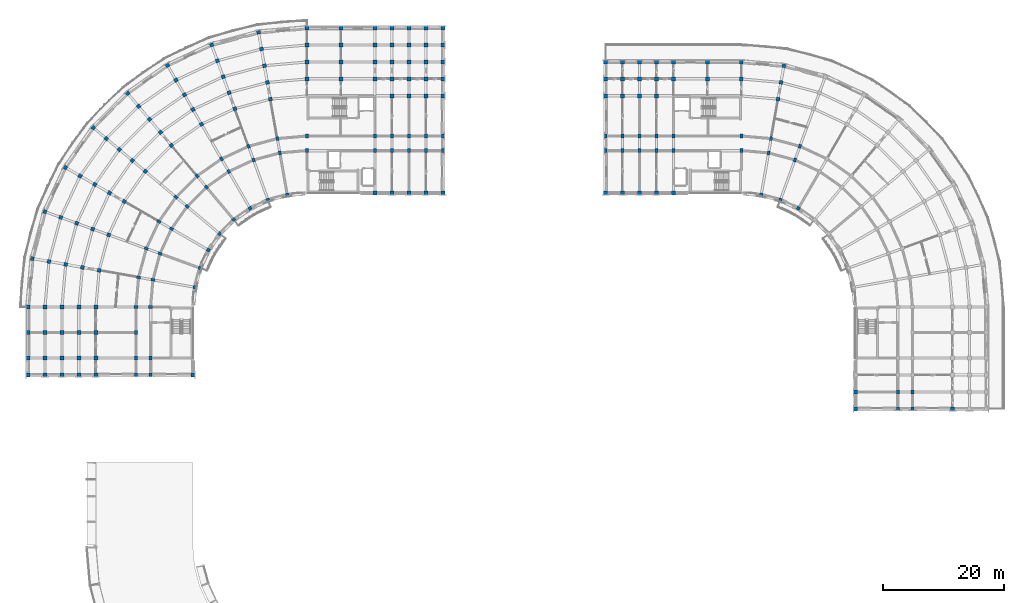
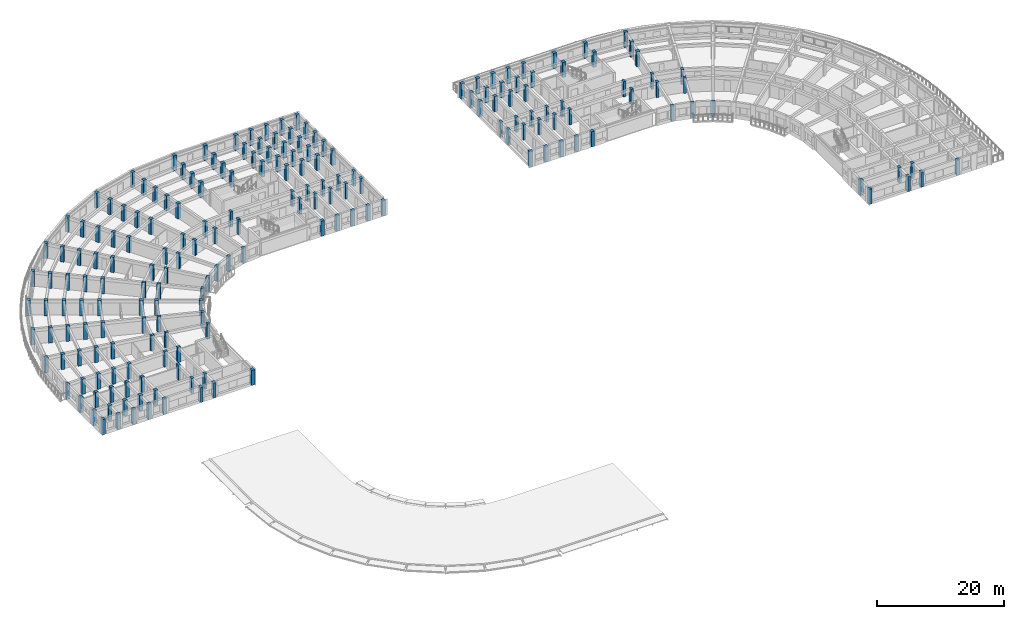
# One storey, part 1 of 41: 193 columns.
"""IFC4 building model written with IfcOpenShell, lengths in metres."""

from ifc_helpers import new_model, si_unit, direction, frame, origin, origin_2d, place, context, subcontext, project, spatial, rectangle, extrude, material, material_profile, profile_set, type_object, element, save


model = new_model("IFC4")

# Units and contexts
model_context = context("Model", 3, precision=1e-05, world=origin(), true_north=direction((0.0, 1.0)))
body_context = subcontext(model_context, "Body", "Model", "MODEL_VIEW")
ifc_project = project(units=[si_unit("LENGTHUNIT", "METRE"), si_unit("AREAUNIT", "SQUARE_METRE"), si_unit("VOLUMEUNIT", "CUBIC_METRE"), si_unit("PLANEANGLEUNIT", "RADIAN"), si_unit("MASSUNIT", "GRAM", prefix="KILO")], contexts=[model_context])

# Site, building, storey
site_placement = place(None, origin())
site = spatial("IfcSite", under=ifc_project, at=site_placement, CompositionType="ELEMENT")
building_placement = place(site_placement, origin())
building = spatial("IfcBuilding", under=site, at=building_placement, Name="Kiranvali Square Residences", CompositionType="ELEMENT")
storey_placement = place(building_placement, frame((0.0, 0.0, 33.89990234375)))
storey = spatial("IfcBuildingStorey", under=building, at=storey_placement, Name="L10", CompositionType="ELEMENT", Elevation=33.89990234375)

# Columns
ifc_material = material(Name="Concrete M40 (40 MPa)", Category="concrete")
ifc_material_profile_1 = material_profile(ifc_material, rectangle(XDim=0.550048828125, YDim=0.550048828125, at=origin_2d()), Name="RC 550x550")
ifc_profile_set_1 = profile_set([ifc_material_profile_1], Name="Concrete M40 (40 MPa)")
column_type_1 = type_object("IfcColumnType", Name="COL-M40-550", PredefinedType="COLUMN", material=ifc_profile_set_1)
for number, where, z_axis, x_axis, name in (
    (1, (44.935302734375, 106.314453125, 0.0), (0.0, 0.0, 1.0), (0.984807753012, 0.173648177667, 0.0), "Block A L10 radial column A01-R0"),
    (2, (41.77001953125, 105.46630859375, 0.0), (0.0, 0.0, 1.0), (0.939692620786, 0.342020143326, 0.0), "Block A L10 radial column A02-R0"),
    (3, (38.800048828125, 104.081298828125, 0.0), (0.0, 0.0, 1.0), (0.866025403784, 0.5, 0.0), "Block A L10 radial column A03-R0"),
    (4, (36.115478515625, 102.20166015625, 0.0), (0.0, 0.0, 1.0), (0.766044443119, 0.642787609687, 0.0), "Block A L10 radial column A04-R0"),
    (5, (33.79833984375, 99.884521484375, 0.0), (0.0, 0.0, 1.0), (0.642787609687, 0.766044443119, 0.0), "Block A L10 radial column A05-R0"),
    (6, (31.918701171875, 97.199951171875, 0.0), (0.0, 0.0, 1.0), (0.5, 0.866025403784, 0.0), "Block A L10 radial column A06-R0"),
    (7, (30.53369140625, 94.22998046875, 0.0), (0.0, 0.0, 1.0), (0.342020143326, 0.939692620786, 0.0), "Block A L10 radial column A07-R0"),
    (8, (29.685546875, 91.064697265625, 0.0), (0.0, 0.0, 1.0), (0.173648177667, 0.984807753012, 0.0), "Block A L10 radial column A08-R0"),
    (9, (123.064697265625, 106.314453125, 0.0), (0.0, 0.0, 1.0), (-0.984807753012, 0.173648177667, 0.0), "Block B L10 radial column A01-R0"),
    (10, (126.22998046875, 105.46630859375, 0.0), (0.0, 0.0, 1.0), (-0.939692620786, 0.342020143326, 0.0), "Block B L10 radial column A02-R0"),
    (11, (129.199951171875, 104.081298828125, 0.0), (0.0, 0.0, 1.0), (-0.866025403784, 0.5, 0.0), "Block B L10 radial column A03-R0"),
):
    element("IfcColumn", number, at=place(storey_placement, frame(where, z_axis=z_axis, x_axis=x_axis)), inside=storey, type_object=column_type_1, Name=name, PredefinedType="COLUMN", context=body_context, shape_type="SweptSolid", body=[
        extrude(rectangle(XDim=0.550048828125, YDim=0.550048828125, at=origin_2d()), origin(), (0.0, 0.0, 1.0), 2.93017578125),
    ])
ifc_material_profile_2 = material_profile(ifc_material, rectangle(XDim=0.60009765625, YDim=0.60009765625, at=origin_2d()), Name="RC 600x600")
ifc_profile_set_2 = profile_set([ifc_material_profile_2], Name="Concrete M40 (40 MPa)")
column_type_2 = type_object("IfcColumnType", Name="COL-M40-600", PredefinedType="COLUMN", material=ifc_profile_set_2)
for number, where, z_axis, x_axis, name in (
    (12, (48.199951171875, 125.39990234375, 0.0), (0.0, 0.0, 1.0), (1.0, 0.0, 0.0), "Block A L10 radial column A00-R4"),
    (13, (48.199951171875, 128.199951171875, 0.0), (0.0, 0.0, 1.0), (1.0, 0.0, 0.0), "Block A L10 radial column A00-R5"),
    (14, (48.199951171875, 131.0, 0.0), (0.0, 0.0, 1.0), (1.0, 0.0, 0.0), "Block A L10 radial column A00-R6"),
    (15, (48.199951171875, 133.800048828125, 0.0), (0.0, 0.0, 1.0), (1.0, 0.0, 0.0), "Block A L10 radial column A00-R7"),
    (16, (42.156982421875, 122.0712890625, 0.0), (0.0, 0.0, 1.0), (0.984807753012, 0.173648177667, 0.0), "Block A L10 radial column A01-R3"),
    (17, (41.6708984375, 124.828857421875, 0.0), (0.0, 0.0, 1.0), (0.984807753012, 0.173648177667, 0.0), "Block A L10 radial column A01-R4"),
    (18, (41.1845703125, 127.586181640625, 0.0), (0.0, 0.0, 1.0), (0.984807753012, 0.173648177667, 0.0), "Block A L10 radial column A01-R5"),
    (19, (40.698486328125, 130.34375, 0.0), (0.0, 0.0, 1.0), (0.984807753012, 0.173648177667, 0.0), "Block A L10 radial column A01-R6"),
    (20, (40.212158203125, 133.10107421875, 0.0), (0.0, 0.0, 1.0), (0.984807753012, 0.173648177667, 0.0), "Block A L10 radial column A01-R7"),
    (21, (36.297607421875, 120.501220703125, 0.0), (0.0, 0.0, 1.0), (0.939692620786, 0.342020143326, 0.0), "Block A L10 radial column A02-R3"),
    (22, (35.340087890625, 123.13232421875, 0.0), (0.0, 0.0, 1.0), (0.939692620786, 0.342020143326, 0.0), "Block A L10 radial column A02-R4"),
    (23, (34.38232421875, 125.763671875, 0.0), (0.0, 0.0, 1.0), (0.939692620786, 0.342020143326, 0.0), "Block A L10 radial column A02-R5"),
    (24, (33.4248046875, 128.394775390625, 0.0), (0.0, 0.0, 1.0), (0.939692620786, 0.342020143326, 0.0), "Block A L10 radial column A02-R6"),
    (25, (32.467041015625, 131.02587890625, 0.0), (0.0, 0.0, 1.0), (0.939692620786, 0.342020143326, 0.0), "Block A L10 radial column A02-R7"),
    (26, (30.800048828125, 117.937744140625, 0.0), (0.0, 0.0, 1.0), (0.866025403784, 0.5, 0.0), "Block A L10 radial column A03-R3"),
    (27, (29.39990234375, 120.362548828125, 0.0), (0.0, 0.0, 1.0), (0.866025403784, 0.5, 0.0), "Block A L10 radial column A03-R4"),
    (28, (28.0, 122.787353515625, 0.0), (0.0, 0.0, 1.0), (0.866025403784, 0.5, 0.0), "Block A L10 radial column A03-R5"),
    (29, (26.60009765625, 125.21240234375, 0.0), (0.0, 0.0, 1.0), (0.866025403784, 0.5, 0.0), "Block A L10 radial column A03-R6"),
    (30, (25.199951171875, 127.63720703125, 0.0), (0.0, 0.0, 1.0), (0.866025403784, 0.5, 0.0), "Block A L10 radial column A03-R7"),
    (31, (25.8310546875, 114.458251953125, 0.0), (0.0, 0.0, 1.0), (0.766044443119, 0.642787609687, 0.0), "Block A L10 radial column A04-R3"),
    (32, (24.03125, 116.603271484375, 0.0), (0.0, 0.0, 1.0), (0.766044443119, 0.642787609687, 0.0), "Block A L10 radial column A04-R4"),
    (33, (22.2314453125, 118.748291015625, 0.0), (0.0, 0.0, 1.0), (0.766044443119, 0.642787609687, 0.0), "Block A L10 radial column A04-R5"),
    (34, (20.431640625, 120.89306640625, 0.0), (0.0, 0.0, 1.0), (0.766044443119, 0.642787609687, 0.0), "Block A L10 radial column A04-R6"),
    (35, (18.6318359375, 123.0380859375, 0.0), (0.0, 0.0, 1.0), (0.766044443119, 0.642787609687, 0.0), "Block A L10 radial column A04-R7"),
    (36, (21.541748046875, 110.1689453125, 0.0), (0.0, 0.0, 1.0), (0.642787609687, 0.766044443119, 0.0), "Block A L10 radial column A05-R3"),
    (37, (19.396728515625, 111.96875, 0.0), (0.0, 0.0, 1.0), (0.642787609687, 0.766044443119, 0.0), "Block A L10 radial column A05-R4"),
    (38, (17.251708984375, 113.7685546875, 0.0), (0.0, 0.0, 1.0), (0.642787609687, 0.766044443119, 0.0), "Block A L10 radial column A05-R5"),
    (39, (15.10693359375, 115.568359375, 0.0), (0.0, 0.0, 1.0), (0.642787609687, 0.766044443119, 0.0), "Block A L10 radial column A05-R6"),
    (40, (12.9619140625, 117.3681640625, 0.0), (0.0, 0.0, 1.0), (0.642787609687, 0.766044443119, 0.0), "Block A L10 radial column A05-R7"),
    (41, (18.062255859375, 105.199951171875, 0.0), (0.0, 0.0, 1.0), (0.5, 0.866025403784, 0.0), "Block A L10 radial column A06-R3"),
    (42, (15.637451171875, 106.60009765625, 0.0), (0.0, 0.0, 1.0), (0.5, 0.866025403784, 0.0), "Block A L10 radial column A06-R4"),
    (43, (13.212646484375, 108.0, 0.0), (0.0, 0.0, 1.0), (0.5, 0.866025403784, 0.0), "Block A L10 radial column A06-R5"),
    (44, (10.78759765625, 109.39990234375, 0.0), (0.0, 0.0, 1.0), (0.5, 0.866025403784, 0.0), "Block A L10 radial column A06-R6"),
    (45, (8.36279296875, 110.800048828125, 0.0), (0.0, 0.0, 1.0), (0.5, 0.866025403784, 0.0), "Block A L10 radial column A06-R7"),
    (46, (15.498779296875, 99.702392578125, 0.0), (0.0, 0.0, 1.0), (0.342020143326, 0.939692620786, 0.0), "Block A L10 radial column A07-R3"),
    (47, (12.86767578125, 100.659912109375, 0.0), (0.0, 0.0, 1.0), (0.342020143326, 0.939692620786, 0.0), "Block A L10 radial column A07-R4"),
    (48, (10.236328125, 101.61767578125, 0.0), (0.0, 0.0, 1.0), (0.342020143326, 0.939692620786, 0.0), "Block A L10 radial column A07-R5"),
    (49, (7.605224609375, 102.5751953125, 0.0), (0.0, 0.0, 1.0), (0.342020143326, 0.939692620786, 0.0), "Block A L10 radial column A07-R6"),
    (50, (4.97412109375, 103.532958984375, 0.0), (0.0, 0.0, 1.0), (0.342020143326, 0.939692620786, 0.0), "Block A L10 radial column A07-R7"),
    (51, (13.9287109375, 93.843017578125, 0.0), (0.0, 0.0, 1.0), (0.173648177667, 0.984807753012, 0.0), "Block A L10 radial column A08-R3"),
    (52, (11.171142578125, 94.3291015625, 0.0), (0.0, 0.0, 1.0), (0.173648177667, 0.984807753012, 0.0), "Block A L10 radial column A08-R4"),
    (53, (8.413818359375, 94.8154296875, 0.0), (0.0, 0.0, 1.0), (0.173648177667, 0.984807753012, 0.0), "Block A L10 radial column A08-R5"),
    (54, (5.65625, 95.301513671875, 0.0), (0.0, 0.0, 1.0), (0.173648177667, 0.984807753012, 0.0), "Block A L10 radial column A08-R6"),
    (55, (2.89892578125, 95.787841796875, 0.0), (0.0, 0.0, 1.0), (0.173648177667, 0.984807753012, 0.0), "Block A L10 radial column A08-R7"),
    (56, (13.39990234375, 87.800048828125, 0.0), (0.0, 0.0, 1.0), (0.0, 1.0, 0.0), "Block A L10 radial column A09-R3"),
    (57, (10.60009765625, 87.800048828125, 0.0), (0.0, 0.0, 1.0), (0.0, 1.0, 0.0), "Block A L10 radial column A09-R4"),
    (58, (7.800048828125, 87.800048828125, 0.0), (0.0, 0.0, 1.0), (0.0, 1.0, 0.0), "Block A L10 radial column A09-R5"),
    (59, (5.0, 87.800048828125, 0.0), (0.0, 0.0, 1.0), (0.0, 1.0, 0.0), "Block A L10 radial column A09-R6"),
    (60, (2.199951171875, 87.800048828125, 0.0), (0.0, 0.0, 1.0), (0.0, 1.0, 0.0), "Block A L10 radial column A09-R7"),
    (61, (53.800048828125, 125.39990234375, 0.0), (0.0, 0.0, 1.0), (1.0, 0.0, 0.0), "Block A L10 core-front column U0-R4"),
    (62, (53.800048828125, 128.199951171875, 0.0), (0.0, 0.0, 1.0), (1.0, 0.0, 0.0), "Block A L10 core-front column U0-R5"),
    (63, (53.800048828125, 131.0, 0.0), (0.0, 0.0, 1.0), (1.0, 0.0, 0.0), "Block A L10 core-front column U0-R6"),
    (64, (53.800048828125, 133.800048828125, 0.0), (0.0, 0.0, 1.0), (1.0, 0.0, 0.0), "Block A L10 core-front column U0-R7"),
    (65, (59.39990234375, 106.60009765625, 0.0), (0.0, 0.0, 1.0), (1.0, 0.0, 0.0), "Block A L10 Arm 1 column U1-R0"),
    (66, (59.39990234375, 125.39990234375, 0.0), (0.0, 0.0, 1.0), (1.0, 0.0, 0.0), "Block A L10 Arm 1 column U1-R4"),
    (67, (59.39990234375, 128.199951171875, 0.0), (0.0, 0.0, 1.0), (1.0, 0.0, 0.0), "Block A L10 Arm 1 column U1-R5"),
    (68, (59.39990234375, 131.0, 0.0), (0.0, 0.0, 1.0), (1.0, 0.0, 0.0), "Block A L10 Arm 1 column U1-R6"),
    (69, (59.39990234375, 133.800048828125, 0.0), (0.0, 0.0, 1.0), (1.0, 0.0, 0.0), "Block A L10 Arm 1 column U1-R7"),
    (70, (62.199951171875, 106.60009765625, 0.0), (0.0, 0.0, 1.0), (1.0, 0.0, 0.0), "Block A L10 Arm 1 column U2-R0"),
    (71, (62.199951171875, 122.60009765625, 0.0), (0.0, 0.0, 1.0), (1.0, 0.0, 0.0), "Block A L10 Arm 1 column U2-R3"),
    (72, (62.199951171875, 125.39990234375, 0.0), (0.0, 0.0, 1.0), (1.0, 0.0, 0.0), "Block A L10 Arm 1 column U2-R4"),
    (73, (62.199951171875, 128.199951171875, 0.0), (0.0, 0.0, 1.0), (1.0, 0.0, 0.0), "Block A L10 Arm 1 column U2-R5"),
    (74, (62.199951171875, 131.0, 0.0), (0.0, 0.0, 1.0), (1.0, 0.0, 0.0), "Block A L10 Arm 1 column U2-R6"),
    (75, (62.199951171875, 133.800048828125, 0.0), (0.0, 0.0, 1.0), (1.0, 0.0, 0.0), "Block A L10 Arm 1 column U2-R7"),
    (76, (65.0, 106.60009765625, 0.0), (0.0, 0.0, 1.0), (1.0, 0.0, 0.0), "Block A L10 Arm 1 column U3-R0"),
    (77, (65.0, 122.60009765625, 0.0), (0.0, 0.0, 1.0), (1.0, 0.0, 0.0), "Block A L10 Arm 1 column U3-R3"),
    (78, (65.0, 125.39990234375, 0.0), (0.0, 0.0, 1.0), (1.0, 0.0, 0.0), "Block A L10 Arm 1 column U3-R4"),
    (79, (65.0, 128.199951171875, 0.0), (0.0, 0.0, 1.0), (1.0, 0.0, 0.0), "Block A L10 Arm 1 column U3-R5"),
    (80, (65.0, 131.0, 0.0), (0.0, 0.0, 1.0), (1.0, 0.0, 0.0), "Block A L10 Arm 1 column U3-R6"),
    (81, (65.0, 133.800048828125, 0.0), (0.0, 0.0, 1.0), (1.0, 0.0, 0.0), "Block A L10 Arm 1 column U3-R7"),
    (82, (67.800048828125, 106.60009765625, 0.0), (0.0, 0.0, 1.0), (1.0, 0.0, 0.0), "Block A L10 Arm 1 column U4-R0"),
    (83, (67.800048828125, 122.60009765625, 0.0), (0.0, 0.0, 1.0), (1.0, 0.0, 0.0), "Block A L10 Arm 1 column U4-R3"),
    (84, (67.800048828125, 125.39990234375, 0.0), (0.0, 0.0, 1.0), (1.0, 0.0, 0.0), "Block A L10 Arm 1 column U4-R4"),
    (85, (67.800048828125, 128.199951171875, 0.0), (0.0, 0.0, 1.0), (1.0, 0.0, 0.0), "Block A L10 Arm 1 column U4-R5"),
    (86, (67.800048828125, 131.0, 0.0), (0.0, 0.0, 1.0), (1.0, 0.0, 0.0), "Block A L10 Arm 1 column U4-R6"),
    (87, (67.800048828125, 133.800048828125, 0.0), (0.0, 0.0, 1.0), (1.0, 0.0, 0.0), "Block A L10 Arm 1 column U4-R7"),
    (88, (70.60009765625, 106.60009765625, 0.0), (0.0, 0.0, 1.0), (1.0, 0.0, 0.0), "Block A L10 Arm 1 column U5-R0"),
    (89, (70.60009765625, 122.60009765625, 0.0), (0.0, 0.0, 1.0), (1.0, 0.0, 0.0), "Block A L10 Arm 1 column U5-R3"),
    (90, (70.60009765625, 125.39990234375, 0.0), (0.0, 0.0, 1.0), (1.0, 0.0, 0.0), "Block A L10 Arm 1 column U5-R4"),
    (91, (70.60009765625, 128.199951171875, 0.0), (0.0, 0.0, 1.0), (1.0, 0.0, 0.0), "Block A L10 Arm 1 column U5-R5"),
    (92, (70.60009765625, 131.0, 0.0), (0.0, 0.0, 1.0), (1.0, 0.0, 0.0), "Block A L10 Arm 1 column U5-R6"),
    (93, (70.60009765625, 133.800048828125, 0.0), (0.0, 0.0, 1.0), (1.0, 0.0, 0.0), "Block A L10 Arm 1 column U5-R7"),
    (94, (13.39990234375, 83.60009765625, 0.0), (0.0, 0.0, 1.0), (1.0, 0.0, 0.0), "Block A L10 Arm 2 mid-core column V0-R3"),
    (95, (10.60009765625, 83.60009765625, 0.0), (0.0, 0.0, 1.0), (1.0, 0.0, 0.0), "Block A L10 Arm 2 mid-core column V0-R4"),
    (96, (7.800048828125, 83.60009765625, 0.0), (0.0, 0.0, 1.0), (1.0, 0.0, 0.0), "Block A L10 Arm 2 mid-core column V0-R5"),
    (97, (5.0, 83.60009765625, 0.0), (0.0, 0.0, 1.0), (1.0, 0.0, 0.0), "Block A L10 Arm 2 mid-core column V0-R6"),
    (98, (2.199951171875, 83.60009765625, 0.0), (0.0, 0.0, 1.0), (1.0, 0.0, 0.0), "Block A L10 Arm 2 mid-core column V0-R7"),
    (99, (13.39990234375, 79.39990234375, 0.0), (0.0, 0.0, 1.0), (1.0, 0.0, 0.0), "Block A L10 Arm 2 column V1-R3"),
    (100, (10.60009765625, 79.39990234375, 0.0), (0.0, 0.0, 1.0), (1.0, 0.0, 0.0), "Block A L10 Arm 2 column V1-R4"),
    (101, (7.800048828125, 79.39990234375, 0.0), (0.0, 0.0, 1.0), (1.0, 0.0, 0.0), "Block A L10 Arm 2 column V1-R5"),
    (102, (5.0, 79.39990234375, 0.0), (0.0, 0.0, 1.0), (1.0, 0.0, 0.0), "Block A L10 Arm 2 column V1-R6"),
    (103, (2.199951171875, 79.39990234375, 0.0), (0.0, 0.0, 1.0), (1.0, 0.0, 0.0), "Block A L10 Arm 2 column V1-R7"),
    (104, (29.39990234375, 76.60009765625, 0.0), (0.0, 0.0, 1.0), (1.0, 0.0, 0.0), "Block A L10 Arm 2 column V2-R0"),
    (105, (13.39990234375, 76.60009765625, 0.0), (0.0, 0.0, 1.0), (1.0, 0.0, 0.0), "Block A L10 Arm 2 column V2-R3"),
    (106, (10.60009765625, 76.60009765625, 0.0), (0.0, 0.0, 1.0), (1.0, 0.0, 0.0), "Block A L10 Arm 2 column V2-R4"),
    (107, (7.800048828125, 76.60009765625, 0.0), (0.0, 0.0, 1.0), (1.0, 0.0, 0.0), "Block A L10 Arm 2 column V2-R5"),
    (108, (5.0, 76.60009765625, 0.0), (0.0, 0.0, 1.0), (1.0, 0.0, 0.0), "Block A L10 Arm 2 column V2-R6"),
    (109, (2.199951171875, 76.60009765625, 0.0), (0.0, 0.0, 1.0), (1.0, 0.0, 0.0), "Block A L10 Arm 2 column V2-R7"),
    (110, (119.800048828125, 125.39990234375, 0.0), (0.0, 0.0, 1.0), (1.0, 0.0, 0.0), "Block B L10 radial column A00-R4"),
):
    element("IfcColumn", number, at=place(storey_placement, frame(where, z_axis=z_axis, x_axis=x_axis)), inside=storey, type_object=column_type_2, Name=name, PredefinedType="COLUMN", context=body_context, shape_type="SweptSolid", body=[
        extrude(rectangle(XDim=0.60009765625, YDim=0.60009765625, at=origin_2d()), origin(), (0.0, 0.0, 1.0), 2.93017578125),
    ])
column_1_placement = place(storey_placement, frame((119.800048828125, 128.199951171875, 0.0), z_axis=(0.0, 0.0, 1.0), x_axis=(1.0, 0.0, 0.0)))
element("IfcColumn", 111, at=column_1_placement, inside=storey, type_object=column_type_2, Name="Block B L10 radial column A00-R5", PredefinedType="COLUMN", context=body_context, shape_type="SweptSolid", body=[
    extrude(rectangle(XDim=0.60009765625, YDim=0.60009765625, at=origin_2d()), origin(), (0.0, 0.0, 1.0), 2.97021484375),
])
for number, where, z_axis, x_axis, name in (
    (112, (125.843017578125, 122.0712890625, 0.0), (0.0, 0.0, 1.0), (-0.984807753012, 0.173648177667, 0.0), "Block B L10 radial column A01-R3"),
    (113, (126.3291015625, 124.828857421875, 0.0), (0.0, 0.0, 1.0), (-0.984807753012, 0.173648177667, 0.0), "Block B L10 radial column A01-R4"),
):
    element("IfcColumn", number, at=place(storey_placement, frame(where, z_axis=z_axis, x_axis=x_axis)), inside=storey, type_object=column_type_2, Name=name, PredefinedType="COLUMN", context=body_context, shape_type="SweptSolid", body=[
        extrude(rectangle(XDim=0.60009765625, YDim=0.60009765625, at=origin_2d()), origin(), (0.0, 0.0, 1.0), 2.93017578125),
    ])
column_2_placement = place(storey_placement, frame((126.8154296875, 127.586181640625, 0.0), z_axis=(0.0, 0.0, 1.0), x_axis=(-0.984807753012, 0.173648177667, 0.0)))
element("IfcColumn", 114, at=column_2_placement, inside=storey, type_object=column_type_2, Name="Block B L10 radial column A01-R5", PredefinedType="COLUMN", context=body_context, shape_type="SweptSolid", body=[
    extrude(rectangle(XDim=0.60009765625, YDim=0.60009765625, at=origin_2d()), origin(), (0.0, 0.0, 1.0), 2.97021484375),
])
column_3_placement = place(storey_placement, frame((114.199951171875, 125.39990234375, 0.0), z_axis=(0.0, 0.0, 1.0), x_axis=(1.0, 0.0, 0.0)))
element("IfcColumn", 115, at=column_3_placement, inside=storey, type_object=column_type_2, Name="Block B L10 core-front column U0-R4", PredefinedType="COLUMN", context=body_context, shape_type="SweptSolid", body=[
    extrude(rectangle(XDim=0.60009765625, YDim=0.60009765625, at=origin_2d()), origin(), (0.0, 0.0, 1.0), 2.93017578125),
])
column_4_placement = place(storey_placement, frame((114.199951171875, 128.199951171875, 0.0), z_axis=(0.0, 0.0, 1.0), x_axis=(1.0, 0.0, 0.0)))
element("IfcColumn", 116, at=column_4_placement, inside=storey, type_object=column_type_2, Name="Block B L10 core-front column U0-R5", PredefinedType="COLUMN", context=body_context, shape_type="SweptSolid", body=[
    extrude(rectangle(XDim=0.60009765625, YDim=0.60009765625, at=origin_2d()), origin(), (0.0, 0.0, 1.0), 2.97021484375),
])
for number, where, z_axis, x_axis, name in (
    (117, (108.60009765625, 106.60009765625, 0.0), (0.0, 0.0, 1.0), (1.0, 0.0, 0.0), "Block B L10 Arm 1 column U1-R0"),
    (118, (108.60009765625, 125.39990234375, 0.0), (0.0, 0.0, 1.0), (1.0, 0.0, 0.0), "Block B L10 Arm 1 column U1-R4"),
):
    element("IfcColumn", number, at=place(storey_placement, frame(where, z_axis=z_axis, x_axis=x_axis)), inside=storey, type_object=column_type_2, Name=name, PredefinedType="COLUMN", context=body_context, shape_type="SweptSolid", body=[
        extrude(rectangle(XDim=0.60009765625, YDim=0.60009765625, at=origin_2d()), origin(), (0.0, 0.0, 1.0), 2.93017578125),
    ])
column_5_placement = place(storey_placement, frame((108.60009765625, 128.199951171875, 0.0), z_axis=(0.0, 0.0, 1.0), x_axis=(1.0, 0.0, 0.0)))
element("IfcColumn", 119, at=column_5_placement, inside=storey, type_object=column_type_2, Name="Block B L10 Arm 1 column U1-R5", PredefinedType="COLUMN", context=body_context, shape_type="SweptSolid", body=[
    extrude(rectangle(XDim=0.60009765625, YDim=0.60009765625, at=origin_2d()), origin(), (0.0, 0.0, 1.0), 2.97021484375),
])
for number, where, z_axis, x_axis, name in (
    (120, (105.800048828125, 106.60009765625, 0.0), (0.0, 0.0, 1.0), (1.0, 0.0, 0.0), "Block B L10 Arm 1 column U2-R0"),
    (121, (105.800048828125, 122.60009765625, 0.0), (0.0, 0.0, 1.0), (1.0, 0.0, 0.0), "Block B L10 Arm 1 column U2-R3"),
    (122, (105.800048828125, 125.39990234375, 0.0), (0.0, 0.0, 1.0), (1.0, 0.0, 0.0), "Block B L10 Arm 1 column U2-R4"),
):
    element("IfcColumn", number, at=place(storey_placement, frame(where, z_axis=z_axis, x_axis=x_axis)), inside=storey, type_object=column_type_2, Name=name, PredefinedType="COLUMN", context=body_context, shape_type="SweptSolid", body=[
        extrude(rectangle(XDim=0.60009765625, YDim=0.60009765625, at=origin_2d()), origin(), (0.0, 0.0, 1.0), 2.93017578125),
    ])
column_6_placement = place(storey_placement, frame((105.800048828125, 128.199951171875, 0.0), z_axis=(0.0, 0.0, 1.0), x_axis=(1.0, 0.0, 0.0)))
element("IfcColumn", 123, at=column_6_placement, inside=storey, type_object=column_type_2, Name="Block B L10 Arm 1 column U2-R5", PredefinedType="COLUMN", context=body_context, shape_type="SweptSolid", body=[
    extrude(rectangle(XDim=0.60009765625, YDim=0.60009765625, at=origin_2d()), origin(), (0.0, 0.0, 1.0), 2.97021484375),
])
for number, where, z_axis, x_axis, name in (
    (124, (103.0, 106.60009765625, 0.0), (0.0, 0.0, 1.0), (1.0, 0.0, 0.0), "Block B L10 Arm 1 column U3-R0"),
    (125, (103.0, 122.60009765625, 0.0), (0.0, 0.0, 1.0), (1.0, 0.0, 0.0), "Block B L10 Arm 1 column U3-R3"),
    (126, (103.0, 125.39990234375, 0.0), (0.0, 0.0, 1.0), (1.0, 0.0, 0.0), "Block B L10 Arm 1 column U3-R4"),
):
    element("IfcColumn", number, at=place(storey_placement, frame(where, z_axis=z_axis, x_axis=x_axis)), inside=storey, type_object=column_type_2, Name=name, PredefinedType="COLUMN", context=body_context, shape_type="SweptSolid", body=[
        extrude(rectangle(XDim=0.60009765625, YDim=0.60009765625, at=origin_2d()), origin(), (0.0, 0.0, 1.0), 2.93017578125),
    ])
column_7_placement = place(storey_placement, frame((103.0, 128.199951171875, 0.0), z_axis=(0.0, 0.0, 1.0), x_axis=(1.0, 0.0, 0.0)))
element("IfcColumn", 127, at=column_7_placement, inside=storey, type_object=column_type_2, Name="Block B L10 Arm 1 column U3-R5", PredefinedType="COLUMN", context=body_context, shape_type="SweptSolid", body=[
    extrude(rectangle(XDim=0.60009765625, YDim=0.60009765625, at=origin_2d()), origin(), (0.0, 0.0, 1.0), 2.97021484375),
])
for number, where, z_axis, x_axis, name in (
    (128, (100.199951171875, 106.60009765625, 0.0), (0.0, 0.0, 1.0), (1.0, 0.0, 0.0), "Block B L10 Arm 1 column U4-R0"),
    (129, (100.199951171875, 122.60009765625, 0.0), (0.0, 0.0, 1.0), (1.0, 0.0, 0.0), "Block B L10 Arm 1 column U4-R3"),
    (130, (100.199951171875, 125.39990234375, 0.0), (0.0, 0.0, 1.0), (1.0, 0.0, 0.0), "Block B L10 Arm 1 column U4-R4"),
):
    element("IfcColumn", number, at=place(storey_placement, frame(where, z_axis=z_axis, x_axis=x_axis)), inside=storey, type_object=column_type_2, Name=name, PredefinedType="COLUMN", context=body_context, shape_type="SweptSolid", body=[
        extrude(rectangle(XDim=0.60009765625, YDim=0.60009765625, at=origin_2d()), origin(), (0.0, 0.0, 1.0), 2.93017578125),
    ])
for number, where, z_axis, x_axis, name in (
    (131, (100.199951171875, 128.199951171875, 0.0), (0.0, 0.0, 1.0), (1.0, 0.0, 0.0), "Block B L10 Arm 1 column U4-R5"),
    (132, (97.39990234375, 106.60009765625, 0.0), (0.0, 0.0, 1.0), (1.0, 0.0, 0.0), "Block B L10 Arm 1 column U5-R0"),
    (133, (97.39990234375, 122.60009765625, 0.0), (0.0, 0.0, 1.0), (1.0, 0.0, 0.0), "Block B L10 Arm 1 column U5-R3"),
    (134, (97.39990234375, 125.39990234375, 0.0), (0.0, 0.0, 1.0), (1.0, 0.0, 0.0), "Block B L10 Arm 1 column U5-R4"),
    (135, (97.39990234375, 128.199951171875, 0.0), (0.0, 0.0, 1.0), (1.0, 0.0, 0.0), "Block B L10 Arm 1 column U5-R5"),
):
    element("IfcColumn", number, at=place(storey_placement, frame(where, z_axis=z_axis, x_axis=x_axis)), inside=storey, type_object=column_type_2, Name=name, PredefinedType="COLUMN", context=body_context, shape_type="SweptSolid", body=[
        extrude(rectangle(XDim=0.60009765625, YDim=0.60009765625, at=origin_2d()), origin(), (0.0, 0.0, 1.0), 2.97021484375),
    ])
for number, where, z_axis, x_axis, name in (
    (136, (138.60009765625, 73.800048828125, 0.0), (0.0, 0.0, 1.0), (1.0, 0.0, 0.0), "Block B L10 Arm 2 column V3-R0"),
    (137, (138.60009765625, 71.0, 0.0), (0.0, 0.0, 1.0), (1.0, 0.0, 0.0), "Block B L10 Arm 2 column V4-R0"),
    (138, (154.60009765625, 71.0, 0.0), (0.0, 0.0, 1.0), (1.0, 0.0, 0.0), "Block B L10 Arm 2 column V4-R3"),
):
    element("IfcColumn", number, at=place(storey_placement, frame(where, z_axis=z_axis, x_axis=x_axis)), inside=storey, type_object=column_type_2, Name=name, PredefinedType="COLUMN", context=body_context, shape_type="SweptSolid", body=[
        extrude(rectangle(XDim=0.60009765625, YDim=0.60009765625, at=origin_2d()), origin(), (0.0, 0.0, 1.0), 2.93017578125),
    ])
ifc_material_profile_3 = material_profile(ifc_material, rectangle(XDim=0.449951171875, YDim=0.64990234375, at=origin_2d()), Name="RC 650x450")
ifc_profile_set_3 = profile_set([ifc_material_profile_3], Name="Concrete M40 (40 MPa)")
column_type_3 = type_object("IfcColumnType", Name="COL-M40-650x450", PredefinedType="COLUMN", material=ifc_profile_set_3)
for number, where, z_axis, x_axis, name in (
    (139, (48.199951171875, 113.60009765625, 0.0), (0.0, 0.0, 1.0), (1.0, 0.0, 0.0), "Block A L10 radial column A00-R1"),
    (140, (48.199951171875, 116.0, 0.0), (0.0, 0.0, 1.0), (1.0, 0.0, 0.0), "Block A L10 radial column A00-R2"),
    (141, (43.719970703125, 113.2080078125, 0.0), (0.0, 0.0, 1.0), (0.984807753012, 0.173648177667, 0.0), "Block A L10 radial column A01-R1"),
    (142, (43.30322265625, 115.571533203125, 0.0), (0.0, 0.0, 1.0), (0.984807753012, 0.173648177667, 0.0), "Block A L10 radial column A01-R2"),
    (143, (39.3759765625, 112.044189453125, 0.0), (0.0, 0.0, 1.0), (0.939692620786, 0.342020143326, 0.0), "Block A L10 radial column A02-R1"),
    (144, (38.554931640625, 114.29931640625, 0.0), (0.0, 0.0, 1.0), (0.939692620786, 0.342020143326, 0.0), "Block A L10 radial column A02-R2"),
    (145, (35.300048828125, 110.1435546875, 0.0), (0.0, 0.0, 1.0), (0.866025403784, 0.5, 0.0), "Block A L10 radial column A03-R1"),
    (146, (34.10009765625, 112.221923828125, 0.0), (0.0, 0.0, 1.0), (0.866025403784, 0.5, 0.0), "Block A L10 radial column A03-R2"),
    (147, (31.615966796875, 107.56396484375, 0.0), (0.0, 0.0, 1.0), (0.766044443119, 0.642787609687, 0.0), "Block A L10 radial column A04-R1"),
    (148, (30.073486328125, 109.40234375, 0.0), (0.0, 0.0, 1.0), (0.766044443119, 0.642787609687, 0.0), "Block A L10 radial column A04-R2"),
    (149, (28.43603515625, 104.384033203125, 0.0), (0.0, 0.0, 1.0), (0.642787609687, 0.766044443119, 0.0), "Block A L10 radial column A05-R1"),
    (150, (26.59765625, 105.926513671875, 0.0), (0.0, 0.0, 1.0), (0.642787609687, 0.766044443119, 0.0), "Block A L10 radial column A05-R2"),
    (151, (25.8564453125, 100.699951171875, 0.0), (0.0, 0.0, 1.0), (0.5, 0.866025403784, 0.0), "Block A L10 radial column A06-R1"),
    (152, (23.778076171875, 101.89990234375, 0.0), (0.0, 0.0, 1.0), (0.5, 0.866025403784, 0.0), "Block A L10 radial column A06-R2"),
    (153, (23.955810546875, 96.6240234375, 0.0), (0.0, 0.0, 1.0), (0.342020143326, 0.939692620786, 0.0), "Block A L10 radial column A07-R1"),
    (154, (21.70068359375, 97.445068359375, 0.0), (0.0, 0.0, 1.0), (0.342020143326, 0.939692620786, 0.0), "Block A L10 radial column A07-R2"),
    (155, (22.7919921875, 92.280029296875, 0.0), (0.0, 0.0, 1.0), (0.173648177667, 0.984807753012, 0.0), "Block A L10 radial column A08-R1"),
    (156, (20.428466796875, 92.69677734375, 0.0), (0.0, 0.0, 1.0), (0.173648177667, 0.984807753012, 0.0), "Block A L10 radial column A08-R2"),
    (157, (22.39990234375, 87.800048828125, 0.0), (0.0, 0.0, 1.0), (0.0, 1.0, 0.0), "Block A L10 radial column A09-R1"),
    (158, (20.0, 87.800048828125, 0.0), (0.0, 0.0, 1.0), (0.0, 1.0, 0.0), "Block A L10 radial column A09-R2"),
    (159, (59.39990234375, 113.60009765625, 0.0), (0.0, 0.0, 1.0), (1.0, 0.0, 0.0), "Block A L10 Arm 1 column U1-R1"),
    (160, (59.39990234375, 116.0, 0.0), (0.0, 0.0, 1.0), (1.0, 0.0, 0.0), "Block A L10 Arm 1 column U1-R2"),
    (161, (62.199951171875, 113.60009765625, 0.0), (0.0, 0.0, 1.0), (1.0, 0.0, 0.0), "Block A L10 Arm 1 column U2-R1"),
    (162, (62.199951171875, 116.0, 0.0), (0.0, 0.0, 1.0), (1.0, 0.0, 0.0), "Block A L10 Arm 1 column U2-R2"),
    (163, (65.0, 113.60009765625, 0.0), (0.0, 0.0, 1.0), (1.0, 0.0, 0.0), "Block A L10 Arm 1 column U3-R1"),
    (164, (65.0, 116.0, 0.0), (0.0, 0.0, 1.0), (1.0, 0.0, 0.0), "Block A L10 Arm 1 column U3-R2"),
    (165, (67.800048828125, 113.60009765625, 0.0), (0.0, 0.0, 1.0), (1.0, 0.0, 0.0), "Block A L10 Arm 1 column U4-R1"),
    (166, (67.800048828125, 116.0, 0.0), (0.0, 0.0, 1.0), (1.0, 0.0, 0.0), "Block A L10 Arm 1 column U4-R2"),
    (167, (70.60009765625, 113.60009765625, 0.0), (0.0, 0.0, 1.0), (1.0, 0.0, 0.0), "Block A L10 Arm 1 column U5-R1"),
    (168, (70.60009765625, 116.0, 0.0), (0.0, 0.0, 1.0), (1.0, 0.0, 0.0), "Block A L10 Arm 1 column U5-R2"),
    (169, (20.0, 83.60009765625, 0.0), (0.0, 0.0, 1.0), (1.0, 0.0, 0.0), "Block A L10 Arm 2 mid-core column V0-R2"),
    (170, (22.39990234375, 79.39990234375, 0.0), (0.0, 0.0, 1.0), (1.0, 0.0, 0.0), "Block A L10 Arm 2 column V1-R1"),
    (171, (20.0, 79.39990234375, 0.0), (0.0, 0.0, 1.0), (1.0, 0.0, 0.0), "Block A L10 Arm 2 column V1-R2"),
    (172, (22.39990234375, 76.60009765625, 0.0), (0.0, 0.0, 1.0), (1.0, 0.0, 0.0), "Block A L10 Arm 2 column V2-R1"),
    (173, (20.0, 76.60009765625, 0.0), (0.0, 0.0, 1.0), (1.0, 0.0, 0.0), "Block A L10 Arm 2 column V2-R2"),
    (174, (119.800048828125, 113.60009765625, 0.0), (0.0, 0.0, 1.0), (1.0, 0.0, 0.0), "Block B L10 radial column A00-R1"),
    (175, (119.800048828125, 116.0, 0.0), (0.0, 0.0, 1.0), (1.0, 0.0, 0.0), "Block B L10 radial column A00-R2"),
    (176, (124.280029296875, 113.2080078125, 0.0), (0.0, 0.0, 1.0), (-0.984807753012, 0.173648177667, 0.0), "Block B L10 radial column A01-R1"),
    (177, (124.69677734375, 115.571533203125, 0.0), (0.0, 0.0, 1.0), (-0.984807753012, 0.173648177667, 0.0), "Block B L10 radial column A01-R2"),
    (178, (128.6240234375, 112.044189453125, 0.0), (0.0, 0.0, 1.0), (-0.939692620786, 0.342020143326, 0.0), "Block B L10 radial column A02-R1"),
    (179, (129.445068359375, 114.29931640625, 0.0), (0.0, 0.0, 1.0), (-0.939692620786, 0.342020143326, 0.0), "Block B L10 radial column A02-R2"),
    (180, (108.60009765625, 113.60009765625, 0.0), (0.0, 0.0, 1.0), (1.0, 0.0, 0.0), "Block B L10 Arm 1 column U1-R1"),
    (181, (108.60009765625, 116.0, 0.0), (0.0, 0.0, 1.0), (1.0, 0.0, 0.0), "Block B L10 Arm 1 column U1-R2"),
    (182, (105.800048828125, 113.60009765625, 0.0), (0.0, 0.0, 1.0), (1.0, 0.0, 0.0), "Block B L10 Arm 1 column U2-R1"),
    (183, (105.800048828125, 116.0, 0.0), (0.0, 0.0, 1.0), (1.0, 0.0, 0.0), "Block B L10 Arm 1 column U2-R2"),
    (184, (103.0, 113.60009765625, 0.0), (0.0, 0.0, 1.0), (1.0, 0.0, 0.0), "Block B L10 Arm 1 column U3-R1"),
    (185, (103.0, 116.0, 0.0), (0.0, 0.0, 1.0), (1.0, 0.0, 0.0), "Block B L10 Arm 1 column U3-R2"),
    (186, (100.199951171875, 113.60009765625, 0.0), (0.0, 0.0, 1.0), (1.0, 0.0, 0.0), "Block B L10 Arm 1 column U4-R1"),
    (187, (100.199951171875, 116.0, 0.0), (0.0, 0.0, 1.0), (1.0, 0.0, 0.0), "Block B L10 Arm 1 column U4-R2"),
):
    element("IfcColumn", number, at=place(storey_placement, frame(where, z_axis=z_axis, x_axis=x_axis)), inside=storey, type_object=column_type_3, Name=name, PredefinedType="COLUMN", context=body_context, shape_type="SweptSolid", body=[
        extrude(rectangle(XDim=0.449951171875, YDim=0.64990234375, at=origin_2d()), origin(), (0.0, 0.0, 1.0), 2.93017578125),
    ])
for number, where, z_axis, x_axis, name in (
    (188, (97.39990234375, 113.60009765625, 0.0), (0.0, 0.0, 1.0), (1.0, 0.0, 0.0), "Block B L10 Arm 1 column U5-R1"),
    (189, (97.39990234375, 116.0, 0.0), (0.0, 0.0, 1.0), (1.0, 0.0, 0.0), "Block B L10 Arm 1 column U5-R2"),
):
    element("IfcColumn", number, at=place(storey_placement, frame(where, z_axis=z_axis, x_axis=x_axis)), inside=storey, type_object=column_type_3, Name=name, PredefinedType="COLUMN", context=body_context, shape_type="SweptSolid", body=[
        extrude(rectangle(XDim=0.449951171875, YDim=0.64990234375, at=origin_2d()), origin(), (0.0, 0.0, 1.0), 2.97021484375),
    ])
for number, where, z_axis, x_axis, name in (
    (190, (145.60009765625, 73.800048828125, 0.0), (0.0, 0.0, 1.0), (1.0, 0.0, 0.0), "Block B L10 Arm 2 column V3-R1"),
    (191, (148.0, 73.800048828125, 0.0), (0.0, 0.0, 1.0), (1.0, 0.0, 0.0), "Block B L10 Arm 2 column V3-R2"),
    (192, (145.60009765625, 71.0, 0.0), (0.0, 0.0, 1.0), (1.0, 0.0, 0.0), "Block B L10 Arm 2 column V4-R1"),
    (193, (148.0, 71.0, 0.0), (0.0, 0.0, 1.0), (1.0, 0.0, 0.0), "Block B L10 Arm 2 column V4-R2"),
):
    element("IfcColumn", number, at=place(storey_placement, frame(where, z_axis=z_axis, x_axis=x_axis)), inside=storey, type_object=column_type_3, Name=name, PredefinedType="COLUMN", context=body_context, shape_type="SweptSolid", body=[
        extrude(rectangle(XDim=0.449951171875, YDim=0.64990234375, at=origin_2d()), origin(), (0.0, 0.0, 1.0), 2.93017578125),
    ])

save(model, "model.ifc")
